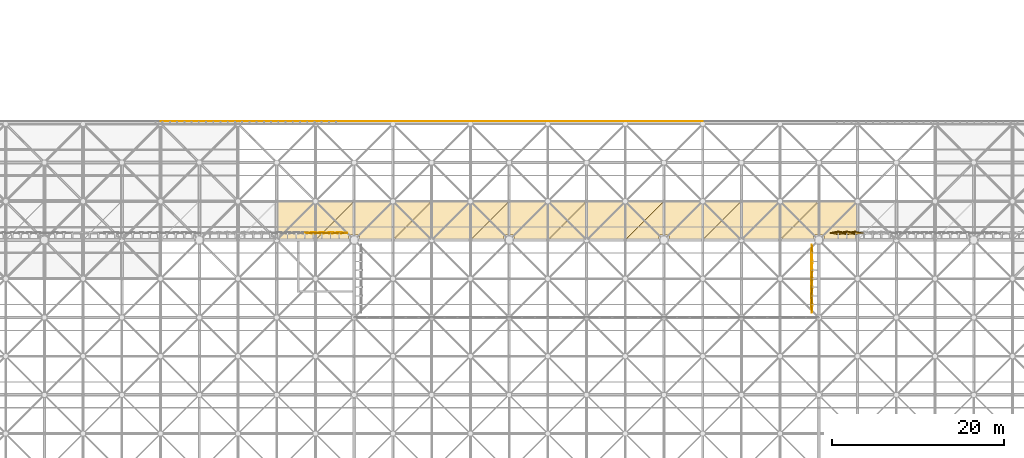
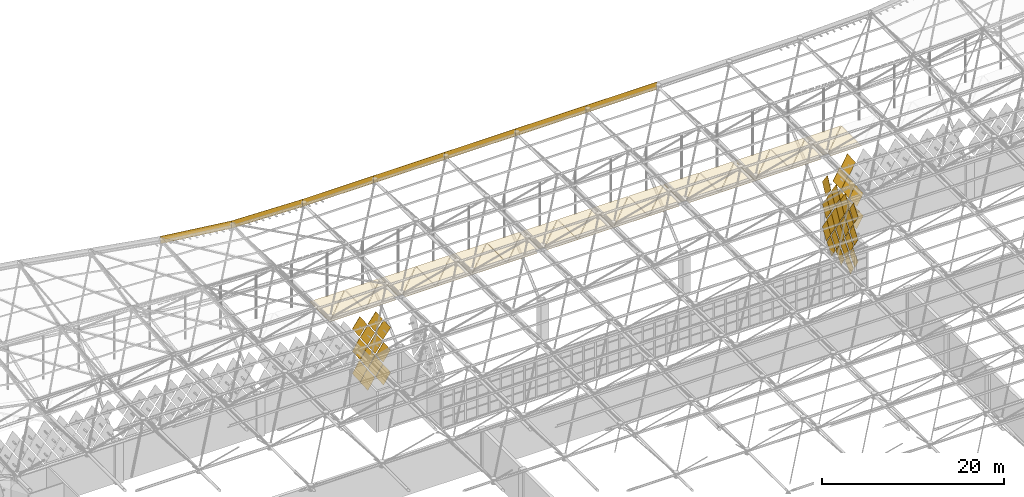
# One storey, part 425 of 437: 78 coverings.
"""IFC4 building model written with IfcOpenShell, lengths in metres."""

from ifc_helpers import new_model, si_unit, direction, frame, origin, place, context, subcontext, project, spatial, polyline, outline, extrude, material, layer, layer_set, material_profile, profile_set, type_object, element, save


model = new_model("IFC4")

# Units and contexts
model_context = context("Model", 3, precision=1e-05, world=origin(), true_north=direction((0.0, 1.0)))
body_context = subcontext(model_context, "Body", "Model", "MODEL_VIEW")
ifc_project = project(units=[si_unit("LENGTHUNIT", "METRE"), si_unit("AREAUNIT", "SQUARE_METRE"), si_unit("VOLUMEUNIT", "CUBIC_METRE"), si_unit("PLANEANGLEUNIT", "RADIAN"), si_unit("MASSUNIT", "GRAM", prefix="KILO")], contexts=[model_context])

# Site, building, storey
site_placement = place(None, origin())
site = spatial("IfcSite", under=ifc_project, at=site_placement, CompositionType="ELEMENT")
building_placement = place(site_placement, origin())
building = spatial("IfcBuilding", under=site, at=building_placement, Name="Opaline Strait Convention Centre", CompositionType="ELEMENT")
storey_placement = place(building_placement, frame((0.0, 0.0, 11.5)))
storey = spatial("IfcBuildingStorey", under=building, at=storey_placement, Name="L02", CompositionType="ELEMENT", Elevation=11.5)

# Coverings
ifc_material_1 = material(Name="White ceramic-faced aluminium tile", Category="aluminium")
ifc_material_profile_1 = material_profile(ifc_material_1, outline(polyline([(0.927978515625, 0.0), (0.0, 1.39208984375), (-0.927978515625, 0.0), (0.0, -1.39208984375), (0.927978515625, 0.0)])), Name="Diamond tile 1856x2784")
ifc_profile_set_1 = profile_set([ifc_material_profile_1], Name="White ceramic-faced aluminium tile")
covering_type_1 = type_object("IfcCoveringType", Name="Diamond wall tile 1856x2784x30 pivot 2 deg", PredefinedType="CLADDING", material=ifc_profile_set_1)
for number, where, z_axis, x_axis, name in (
    (1, (206.199951171875, 151.5, 3.39208984375), (-0.999471633277, 0.0, 0.032503142546), (0.0, -1.0, 0.0), "Wall tile XT04 RE"),
    (2, (206.199951171875, 145.5, 9.39208984375), (-0.999174794796, 0.0, -0.040616861577), (0.0, -1.0, 0.0), "Wall tile XT04 RE"),
):
    element("IfcCovering", number, at=place(storey_placement, frame(where, z_axis=z_axis, x_axis=x_axis)), inside=storey, type_object=covering_type_1, Name=name, PredefinedType="CLADDING", context=body_context, shape_type="SweptSolid", body=[
        extrude(outline(polyline([(0.927978515625, 0.0), (0.0, 1.39208984375), (-0.927978515625, 0.0), (0.0, -1.39208984375), (0.927978515625, 0.0)])), origin(), (0.0, 0.0, 1.0), 0.030029296875),
    ])
ifc_material_profile_2 = material_profile(ifc_material_1, outline(polyline([(0.927978515625, 0.0), (0.0, 1.39208984375), (-0.927978515625, 0.0), (0.0, -1.39208984375), (0.927978515625, 0.0)])), Name="Diamond tile 1856x2784")
ifc_profile_set_2 = profile_set([ifc_material_profile_2], Name="White ceramic-faced aluminium tile")
covering_type_2 = type_object("IfcCoveringType", Name="Diamond wall tile 1856x2784x30 pivot 2.5 deg", PredefinedType="CLADDING", material=ifc_profile_set_2)
for number, where, z_axis, x_axis, name in (
    (3, (151.25, 153.800048828125, 1.89208984375), (0.0, 0.998812351125, -0.048722553713), (-1.0, 0.0, 0.0), "Wall tile XT05 N"),
    (4, (150.25, 153.800048828125, 3.39208984375), (0.0, 0.998812351125, -0.048722553713), (-1.0, 0.0, 0.0), "Wall tile XT05 N"),
    (5, (151.25, 153.800048828125, 4.89208984375), (0.0, 0.999174794796, 0.040616861577), (-1.0, 0.0, 0.0), "Wall tile XT05 N"),
    (6, (149.25, 153.800048828125, 4.89208984375), (0.0, 0.998812351125, -0.048722553713), (-1.0, 0.0, 0.0), "Wall tile XT05 N"),
    (7, (150.25, 153.800048828125, 6.39208984375), (0.0, 0.999174794796, 0.040616861577), (-1.0, 0.0, 0.0), "Wall tile XT05 N"),
    (8, (148.25, 153.800048828125, 6.39208984375), (0.0, 0.998812351125, -0.048722553713), (-1.0, 0.0, 0.0), "Wall tile XT05 N"),
    (9, (149.25, 153.800048828125, 7.89208984375), (0.0, 0.999174794796, 0.040616861577), (-1.0, 0.0, 0.0), "Wall tile XT05 N"),
    (10, (148.25, 153.800048828125, 9.39208984375), (0.0, 0.999174794796, 0.040616861577), (-1.0, 0.0, 0.0), "Wall tile XT05 N"),
    (11, (206.199951171875, 150.5, 1.89208984375), (-0.998812351125, 0.0, -0.048722553713), (0.0, -1.0, 0.0), "Wall tile XT05 RE"),
    (12, (206.199951171875, 150.5, 4.89208984375), (-0.999174794796, 0.0, 0.040616861577), (0.0, -1.0, 0.0), "Wall tile XT05 RE"),
    (13, (206.199951171875, 146.5, 7.89208984375), (-0.998812351125, 0.0, -0.048722553713), (0.0, -1.0, 0.0), "Wall tile XT05 RE"),
):
    element("IfcCovering", number, at=place(storey_placement, frame(where, z_axis=z_axis, x_axis=x_axis)), inside=storey, type_object=covering_type_2, Name=name, PredefinedType="CLADDING", context=body_context, shape_type="SweptSolid", body=[
        extrude(outline(polyline([(0.927978515625, 0.0), (0.0, 1.39208984375), (-0.927978515625, 0.0), (0.0, -1.39208984375), (0.927978515625, 0.0)])), origin(), (0.0, 0.0, 1.0), 0.030029296875),
    ])
ifc_material_profile_3 = material_profile(ifc_material_1, outline(polyline([(0.927978515625, 0.0), (0.0, 1.39208984375), (-0.927978515625, 0.0), (0.0, -1.39208984375), (0.927978515625, 0.0)])), Name="Diamond tile 1856x2784")
ifc_profile_set_3 = profile_set([ifc_material_profile_3], Name="White ceramic-faced aluminium tile")
covering_type_3 = type_object("IfcCoveringType", Name="Diamond wall tile 1856x2784x30 pivot 3 deg", PredefinedType="CLADDING", material=ifc_profile_set_3)
for number, where, z_axis, x_axis, name in (
    (14, (206.199951171875, 149.5, 3.39208984375), (-0.998384516691, 0.0, -0.056818631031), (0.0, -1.0, 0.0), "Wall tile XT06 RE"),
    (15, (206.199951171875, 148.5, 4.89208984375), (-0.998384516691, 0.0, -0.056818631031), (0.0, -1.0, 0.0), "Wall tile XT06 RE"),
    (16, (206.199951171875, 151.5, 6.39208984375), (-0.998812351125, 0.0, 0.048722553713), (0.0, -1.0, 0.0), "Wall tile XT06 RE"),
    (17, (206.199951171875, 149.5, 6.39208984375), (-0.998812351125, 0.0, 0.048722553713), (0.0, -1.0, 0.0), "Wall tile XT06 RE"),
    (18, (206.199951171875, 147.5, 6.39208984375), (-0.998384516691, 0.0, -0.056818631031), (0.0, -1.0, 0.0), "Wall tile XT06 RE"),
    (19, (206.199951171875, 145.5, 6.39208984375), (-0.998384516691, 0.0, -0.056818631031), (0.0, -1.0, 0.0), "Wall tile XT06 RE"),
    (20, (206.199951171875, 148.5, 7.89208984375), (-0.998812351125, 0.0, 0.048722553713), (0.0, -1.0, 0.0), "Wall tile XT06 RE"),
    (21, (206.199951171875, 147.5, 9.39208984375), (-0.998812351125, 0.0, 0.048722553713), (0.0, -1.0, 0.0), "Wall tile XT06 RE"),
):
    element("IfcCovering", number, at=place(storey_placement, frame(where, z_axis=z_axis, x_axis=x_axis)), inside=storey, type_object=covering_type_3, Name=name, PredefinedType="CLADDING", context=body_context, shape_type="SweptSolid", body=[
        extrude(outline(polyline([(0.927978515625, 0.0), (0.0, 1.39208984375), (-0.927978515625, 0.0), (0.0, -1.39208984375), (0.927978515625, 0.0)])), origin(), (0.0, 0.0, 1.0), 0.030029296875),
    ])
ifc_material_profile_4 = material_profile(ifc_material_1, outline(polyline([(0.927978515625, 0.0), (0.0, 1.39208984375), (-0.927978515625, 0.0), (0.0, -1.39208984375), (0.927978515625, 0.0)])), Name="Diamond tile 1856x2784")
ifc_profile_set_4 = profile_set([ifc_material_profile_4], Name="White ceramic-faced aluminium tile")
covering_type_4 = type_object("IfcCoveringType", Name="Diamond wall tile 1856x2784x30 pivot 3.5 deg", PredefinedType="CLADDING", material=ifc_profile_set_4)
for number, where, z_axis, x_axis, name in (
    (22, (149.25, 153.800048828125, 1.89208984375), (0.0, 0.99785694905, -0.065433242561), (-1.0, 0.0, 0.0), "Wall tile XT07 N"),
    (23, (148.25, 153.800048828125, 3.39208984375), (0.0, 0.99785694905, -0.065433242561), (-1.0, 0.0, 0.0), "Wall tile XT07 N"),
    (24, (206.199951171875, 146.5, 4.89208984375), (-0.99785694905, 0.0, -0.065433242561), (0.0, -1.0, 0.0), "Wall tile XT07 RE"),
    (25, (206.199951171875, 150.5, 7.89208984375), (-0.99835799028, 0.0, 0.057282835508), (0.0, -1.0, 0.0), "Wall tile XT07 RE"),
):
    element("IfcCovering", number, at=place(storey_placement, frame(where, z_axis=z_axis, x_axis=x_axis)), inside=storey, type_object=covering_type_4, Name=name, PredefinedType="CLADDING", context=body_context, shape_type="SweptSolid", body=[
        extrude(outline(polyline([(0.927978515625, 0.0), (0.0, 1.39208984375), (-0.927978515625, 0.0), (0.0, -1.39208984375), (0.927978515625, 0.0)])), origin(), (0.0, 0.0, 1.0), 0.02978515625),
    ])
ifc_material_profile_5 = material_profile(ifc_material_1, outline(polyline([(0.927978515625, 0.0), (0.0, 1.39208984375), (-0.927978515625, 0.0), (0.0, -1.39208984375), (0.927978515625, 0.0)])), Name="Diamond tile 1856x2784")
ifc_profile_set_5 = profile_set([ifc_material_profile_5], Name="White ceramic-faced aluminium tile")
covering_type_5 = type_object("IfcCoveringType", Name="Diamond wall tile 1856x2784x30 pivot 4 deg", PredefinedType="CLADDING", material=ifc_profile_set_5)
for number, where, z_axis, x_axis, name in (
    (26, (209.25, 153.800048828125, 1.89208984375), (0.0, 0.997290013252, -0.073570574748), (-1.0, 0.0, 0.0), "Wall tile XT08 N"),
    (27, (206.199951171875, 149.5, 9.39208984375), (-0.99785694905, 0.0, 0.065433242561), (0.0, -1.0, 0.0), "Wall tile XT08 RE"),
):
    element("IfcCovering", number, at=place(storey_placement, frame(where, z_axis=z_axis, x_axis=x_axis)), inside=storey, type_object=covering_type_5, Name=name, PredefinedType="CLADDING", context=body_context, shape_type="SweptSolid", body=[
        extrude(outline(polyline([(0.927978515625, 0.0), (0.0, 1.39208984375), (-0.927978515625, 0.0), (0.0, -1.39208984375), (0.927978515625, 0.0)])), origin(), (0.0, 0.0, 1.0), 0.02978515625),
    ])
ifc_material_profile_6 = material_profile(ifc_material_1, outline(polyline([(0.927978515625, 0.0), (0.0, 1.39208984375), (-0.927978515625, 0.0), (0.0, -1.39208984375), (0.927978515625, 0.0)])), Name="Diamond tile 1856x2784")
ifc_profile_set_6 = profile_set([ifc_material_profile_6], Name="White ceramic-faced aluminium tile")
covering_type_6 = type_object("IfcCoveringType", Name="Diamond wall tile 1856x2784x30 pivot 4.5 deg", PredefinedType="CLADDING", material=ifc_profile_set_6)
for number, where, z_axis, x_axis, name in (
    (28, (151.25, 153.800048828125, 7.89208984375), (0.0, 0.997290013252, 0.073570574748), (-1.0, 0.0, 0.0), "Wall tile XT09 N"),
    (29, (150.25, 153.800048828125, 9.39208984375), (0.0, 0.997290013252, 0.073570574748), (-1.0, 0.0, 0.0), "Wall tile XT09 N"),
    (30, (206.199951171875, 147.5, 3.39208984375), (-0.996657521232, 0.0, -0.081693239445), (0.0, -1.0, 0.0), "Wall tile XT09 RE"),
    (31, (206.199951171875, 151.5, 9.39208984375), (-0.997290013252, 0.0, 0.073570574748), (0.0, -1.0, 0.0), "Wall tile XT09 RE"),
):
    element("IfcCovering", number, at=place(storey_placement, frame(where, z_axis=z_axis, x_axis=x_axis)), inside=storey, type_object=covering_type_6, Name=name, PredefinedType="CLADDING", context=body_context, shape_type="SweptSolid", body=[
        extrude(outline(polyline([(0.927978515625, 0.0), (0.0, 1.39208984375), (-0.927978515625, 0.0), (0.0, -1.39208984375), (0.927978515625, 0.0)])), origin(), (0.0, 0.0, 1.0), 0.02978515625),
    ])
ifc_material_profile_7 = material_profile(ifc_material_1, outline(polyline([(0.927978515625, 0.0), (0.0, 1.39208984375), (-0.927978515625, 0.0), (0.0, -1.39208984375), (0.927978515625, 0.0)])), Name="Diamond tile 1856x2784")
ifc_profile_set_7 = profile_set([ifc_material_profile_7], Name="White ceramic-faced aluminium tile")
covering_type_7 = type_object("IfcCoveringType", Name="Diamond wall tile 1856x2784x30 pivot 5 deg", PredefinedType="CLADDING", material=ifc_profile_set_7)
for number, where, z_axis, x_axis, name in (
    (32, (206.199951171875, 148.5, 1.89208984375), (-0.995959849254, 0.0, -0.089799658539), (0.0, -1.0, 0.0), "Wall tile XT10 RE"),
    (33, (206.199951171875, 145.5, 3.39208984375), (-0.995959849254, 0.0, -0.089799658539), (0.0, -1.0, 0.0), "Wall tile XT10 RE"),
):
    element("IfcCovering", number, at=place(storey_placement, frame(where, z_axis=z_axis, x_axis=x_axis)), inside=storey, type_object=covering_type_7, Name=name, PredefinedType="CLADDING", context=body_context, shape_type="SweptSolid", body=[
        extrude(outline(polyline([(0.927978515625, 0.0), (0.0, 1.39208984375), (-0.927978515625, 0.0), (0.0, -1.39208984375), (0.927978515625, 0.0)])), origin(), (0.0, 0.0, 1.0), 0.02978515625),
    ])
ifc_material_profile_8 = material_profile(ifc_material_1, outline(polyline([(0.927978515625, 0.0), (0.0, 1.39208984375), (-0.927978515625, 0.0), (0.0, -1.39208984375), (0.927978515625, 0.0)])), Name="Diamond tile 1856x2784")
ifc_profile_set_8 = profile_set([ifc_material_profile_8], Name="White ceramic-faced aluminium tile")
covering_type_8 = type_object("IfcCoveringType", Name="Diamond wall tile 1856x2784x30 pivot 5.5 deg", PredefinedType="CLADDING", material=ifc_profile_set_8)
covering_1_placement = place(storey_placement, frame((206.199951171875, 146.5, 1.89208984375), z_axis=(-0.995197410875, 0.0, -0.097888269922), x_axis=(0.0, -1.0, 0.0)))
element("IfcCovering", 34, at=covering_1_placement, inside=storey, type_object=covering_type_8, Name="Wall tile XT11 RE", PredefinedType="CLADDING", context=body_context, shape_type="SweptSolid", body=[
    extrude(outline(polyline([(0.927978515625, 0.0), (0.0, 1.39208984375), (-0.927978515625, 0.0), (0.0, -1.39208984375), (0.927978515625, 0.0)])), origin(), (0.0, 0.0, 1.0), 0.030029296875),
])
ifc_material_profile_9 = material_profile(ifc_material_1, outline(polyline([(0.927978515625, 0.0), (0.0, 1.39208984375), (-0.927978515625, 0.0), (0.0, -1.39208984375), (0.927978515625, 0.0)])), Name="Diamond tile 1856x2784")
ifc_profile_set_9 = profile_set([ifc_material_profile_9], Name="White ceramic-faced aluminium tile")
covering_type_9 = type_object("IfcCoveringType", Name="Diamond wall tile 1856x2784x30 pivot 6 deg", PredefinedType="CLADDING", material=ifc_profile_set_9)
for number, where, z_axis, x_axis, name in (
    (35, (211.25, 153.800048828125, 1.89208984375), (0.0, 0.994370656274, -0.105957528947), (-1.0, 0.0, 0.0), "Wall tile XT12 N"),
    (36, (210.25, 153.800048828125, 3.39208984375), (0.0, 0.994370656274, -0.105957528947), (-1.0, 0.0, 0.0), "Wall tile XT12 N"),
    (37, (209.25, 153.800048828125, 4.89208984375), (0.0, 0.994370656274, -0.105957528947), (-1.0, 0.0, 0.0), "Wall tile XT12 N"),
):
    element("IfcCovering", number, at=place(storey_placement, frame(where, z_axis=z_axis, x_axis=x_axis)), inside=storey, type_object=covering_type_9, Name=name, PredefinedType="CLADDING", context=body_context, shape_type="SweptSolid", body=[
        extrude(outline(polyline([(0.927978515625, 0.0), (0.0, 1.39208984375), (-0.927978515625, 0.0), (0.0, -1.39208984375), (0.927978515625, 0.0)])), origin(), (0.0, 0.0, 1.0), 0.030029296875),
    ])
ifc_material_profile_10 = material_profile(ifc_material_1, outline(polyline([(0.927978515625, 0.0), (0.0, 1.39208984375), (-0.927978515625, 0.0), (0.0, -1.39208984375), (0.927978515625, 0.0)])), Name="Diamond tile 1856x2784")
ifc_profile_set_10 = profile_set([ifc_material_profile_10], Name="White ceramic-faced aluminium tile")
covering_type_10 = type_object("IfcCoveringType", Name="Diamond wall tile 1856x2784x30 pivot 7.5 deg", PredefinedType="CLADDING", material=ifc_profile_set_10)
for number, where, z_axis, x_axis, name in (
    (38, (211.25, 153.800048828125, 4.89208984375), (0.0, 0.991509530601, -0.1300340368), (-1.0, 0.0, 0.0), "Wall tile XT15 N"),
    (39, (210.25, 153.800048828125, 6.39208984375), (0.0, 0.991509530601, -0.1300340368), (-1.0, 0.0, 0.0), "Wall tile XT15 N"),
    (40, (209.25, 153.800048828125, 7.89208984375), (0.0, 0.991509530601, -0.1300340368), (-1.0, 0.0, 0.0), "Wall tile XT15 N"),
    (41, (210.25, 153.800048828125, 9.39208984375), (0.0, 0.991509530601, -0.1300340368), (-1.0, 0.0, 0.0), "Wall tile XT15 N"),
):
    element("IfcCovering", number, at=place(storey_placement, frame(where, z_axis=z_axis, x_axis=x_axis)), inside=storey, type_object=covering_type_10, Name=name, PredefinedType="CLADDING", context=body_context, shape_type="SweptSolid", body=[
        extrude(outline(polyline([(0.927978515625, 0.0), (0.0, 1.39208984375), (-0.927978515625, 0.0), (0.0, -1.39208984375), (0.927978515625, 0.0)])), origin(), (0.0, 0.0, 1.0), 0.030029296875),
    ])
ifc_material_2 = material(Name="White aluminium fascia plate", Category="aluminium")
ifc_layer_1 = layer(ifc_material_2, 0.02001953125)
ifc_layer_set_1 = layer_set([ifc_layer_1], Name="White aluminium fascia plate")
covering_type_11 = type_object("IfcCoveringType", Name="Edge fascia plate 20 aluminium", PredefinedType="CLADDING", material=ifc_layer_set_1)
for number, where, z_axis, x_axis, name in (
    (42, (189.0, 166.800048828125, 18.0), (0.0, 1.0, 0.0), (-1.0, 0.0, 0.0), "Edge fascia plate N"),
    (43, (180.0, 166.800048828125, 18.0), (0.0, 1.0, 0.0), (-1.0, 0.0, 0.0), "Edge fascia plate N"),
    (44, (171.0, 166.800048828125, 18.0), (0.0, 1.0, 0.0), (-1.0, 0.0, 0.0), "Edge fascia plate N"),
    (45, (162.0, 166.800048828125, 18.0), (0.0, 1.0, 0.0), (-1.0, 0.0, 0.0), "Edge fascia plate N"),
    (46, (153.0, 166.800048828125, 18.0), (0.0, 1.0, 0.0), (-1.0, 0.0, 0.0), "Edge fascia plate N"),
):
    element("IfcCovering", number, at=place(storey_placement, frame(where, z_axis=z_axis, x_axis=x_axis)), inside=storey, type_object=covering_type_11, Name=name, PredefinedType="CLADDING", context=body_context, shape_type="SweptSolid", body=[
        extrude(outline(polyline([(-4.5, 0.5), (4.5, 0.5), (4.5, -0.5), (-4.5, -0.5), (-4.5, 0.5)])), origin(), (0.0, 0.0, 1.0), 0.02001953125),
    ])
covering_2_placement = place(storey_placement, frame((144.0, 166.800048828125, 18.12646484375), z_axis=(0.0, 1.0, 0.0), x_axis=(-1.0, 0.0, 0.0)))
element("IfcCovering", 47, at=covering_2_placement, inside=storey, type_object=covering_type_11, Name="Edge fascia plate N", PredefinedType="CLADDING", context=body_context, shape_type="SweptSolid", body=[
    extrude(outline(polyline([(-4.5, 0.373779296875), (4.5, 0.62646484375), (4.5, -0.37353515625), (-4.5, -0.626220703125), (-4.5, 0.373779296875)])), origin(), (0.0, 0.0, 1.0), 0.02001953125),
])
covering_3_placement = place(storey_placement, frame((135.0, 166.800048828125, 18.79638671875), z_axis=(0.0, 1.0, 0.0), x_axis=(-1.0, 0.0, 0.0)))
element("IfcCovering", 48, at=covering_3_placement, inside=storey, type_object=covering_type_11, Name="Edge fascia plate N", PredefinedType="CLADDING", context=body_context, shape_type="SweptSolid", body=[
    extrude(outline(polyline([(-4.5, -0.043701171875), (4.5, 1.043701171875), (4.5, 0.043701171875), (-4.5, -1.043701171875), (-4.5, -0.043701171875)])), origin(), (0.0, 0.0, 1.0), 0.02001953125),
])
ifc_material_3 = material(Name="White aluminium soffit panel", Category="aluminium")
ifc_layer_2 = layer(ifc_material_3, 0.011962890625)
ifc_layer_set_2 = layer_set([ifc_layer_2], Name="White aluminium soffit panel")
covering_type_12 = type_object("IfcCoveringType", Name="Soffit lining panel 12 aluminium", PredefinedType="CEILING", material=ifc_layer_set_2)
covering_4_placement = place(storey_placement, frame((144.04833984375, 153.02001953125, 11.989990234375), z_axis=(0.0, -0.000495813073, 0.999999877085), x_axis=(0.707106737729, 0.707106737729, 0.000350592807)))
element("IfcCovering", 49, at=covering_4_placement, inside=storey, type_object=covering_type_12, Name="Soffit lining panel", PredefinedType="CEILING", context=body_context, shape_type="SweptSolid", body=[
    extrude(outline(polyline([(0.0, 0.0), (6.267286660611354, -3.2671288973371883e-16), (3.133642945132915, -3.1336433303056532), (0.0, 0.0)])), origin(), (0.0, 0.0, -1.0), 0.011962890625),
])
covering_5_placement = place(storey_placement, frame((144.02001953125, 153.04833984375, 11.989990234375), z_axis=(0.000495812829, -0.000991625658, 0.999999385424), x_axis=(0.0, 0.999999508339, 0.00099162578)))
element("IfcCovering", 50, at=covering_5_placement, inside=storey, type_object=covering_type_12, Name="Soffit lining panel", PredefinedType="CEILING", context=body_context, shape_type="SweptSolid", body=[
    extrude(outline(polyline([(0.0, 0.0), (4.431642803865774, -8.470329472543003e-22), (4.431640625000536, -4.431641169716008), (0.0, 0.0)])), origin(), (0.0, 0.0, -1.0), 0.011962890625),
])
covering_6_placement = place(storey_placement, frame((152.39990234375, 153.60009765625, 11.989990234375), z_axis=(0.0, 0.0, 1.0), x_axis=(0.0, -1.0, 0.0)))
element("IfcCovering", 51, at=covering_6_placement, inside=storey, type_object=covering_type_12, Name="Soffit lining panel", PredefinedType="CEILING", context=body_context, shape_type="SweptSolid", body=[
    extrude(outline(polyline([(0.0, 0.0), (0.580078125, 0.0), (0.580078125, -3.8515625), (-3.8515625, 0.580078125), (0.0, 0.580078125), (0.0, 0.0)])), origin(), (0.0, 0.0, -1.0), 0.011962890625),
])
covering_7_placement = place(storey_placement, frame((148.52001953125, 153.04833984375, 11.989990234375), z_axis=(0.000495813012, -0.000495813012, 0.999999754169), x_axis=(0.0, 0.999999877085, 0.000495813073)))
element("IfcCovering", 52, at=covering_7_placement, inside=storey, type_object=covering_type_12, Name="Soffit lining panel", PredefinedType="CEILING", context=body_context, shape_type="SweptSolid", body=[
    extrude(outline(polyline([(0.0, 0.0), (4.431641169716544, 0.0), (4.431640080283523, -4.43164116971641), (0.0, 0.0)])), origin(), (0.0, 0.0, -1.0), 0.011962890625),
])
covering_8_placement = place(storey_placement, frame((157.47998046875, 153.02001953125, 11.989990234375), z_axis=(0.0, 0.0, 1.0), x_axis=(-1.0, 0.0, 0.0)))
element("IfcCovering", 53, at=covering_8_placement, inside=storey, type_object=covering_type_12, Name="Soffit lining panel", PredefinedType="CEILING", context=body_context, shape_type="SweptSolid", body=[
    extrude(outline(polyline([(0.0, 0.0), (3.8798828125, 0.0), (3.8798828125, -0.5517578125), (0.0, -4.431640625), (0.0, 0.0)])), origin(), (0.0, 0.0, -1.0), 0.011962890625),
])
covering_9_placement = place(storey_placement, frame((157.45166015625, 157.47998046875, 11.989990234375), z_axis=(0.0, 0.0, 1.0), x_axis=(-0.707106781187, -0.707106781187, 0.0)))
element("IfcCovering", 54, at=covering_9_placement, inside=storey, type_object=covering_type_12, Name="Soffit lining panel", PredefinedType="CEILING", context=body_context, shape_type="SweptSolid", body=[
    extrude(outline(polyline([(0.0, 0.0), (5.486982893855768, 0.0), (5.877134584647174, -0.39015169079140577), (3.13364313771929, -3.13364313771929), (0.0, 0.0)])), origin(), (0.0, 0.0, -1.0), 0.011962890625),
])
covering_10_placement = place(storey_placement, frame((157.54833984375, 153.02001953125, 11.989990234375), z_axis=(0.0, 0.0, 1.0), x_axis=(0.707106781187, 0.707106781187, 0.0)))
element("IfcCovering", 55, at=covering_10_placement, inside=storey, type_object=covering_type_12, Name="Soffit lining panel", PredefinedType="CEILING", context=body_context, shape_type="SweptSolid", body=[
    extrude(outline(polyline([(0.0, 0.0), (6.26728627543858, 0.0), (3.13364313771929, -3.13364313771929), (0.0, 0.0)])), origin(), (0.0, 0.0, -1.0), 0.011962890625),
])
covering_11_placement = place(storey_placement, frame((157.52001953125, 153.04833984375, 11.989990234375), z_axis=(0.0, 0.0, 1.0), x_axis=(0.0, 1.0, 0.0)))
element("IfcCovering", 56, at=covering_11_placement, inside=storey, type_object=covering_type_12, Name="Soffit lining panel", PredefinedType="CEILING", context=body_context, shape_type="SweptSolid", body=[
    extrude(outline(polyline([(0.0, 0.0), (4.431640625, 0.0), (4.431640625, -4.431640625), (0.0, 0.0)])), origin(), (0.0, 0.0, -1.0), 0.011962890625),
])
covering_12_placement = place(storey_placement, frame((162.04833984375, 153.02001953125, 11.989990234375), z_axis=(0.0, 0.0, 1.0), x_axis=(0.707106781187, 0.707106781187, 0.0)))
element("IfcCovering", 57, at=covering_12_placement, inside=storey, type_object=covering_type_12, Name="Soffit lining panel", PredefinedType="CEILING", context=body_context, shape_type="SweptSolid", body=[
    extrude(outline(polyline([(0.0, 0.0), (6.26728627543858, 0.0), (3.13364313771929, -3.13364313771929), (0.0, 0.0)])), origin(), (0.0, 0.0, -1.0), 0.011962890625),
])
covering_13_placement = place(storey_placement, frame((162.02001953125, 153.04833984375, 11.989990234375), z_axis=(0.0, 0.0, 1.0), x_axis=(0.0, 1.0, 0.0)))
element("IfcCovering", 58, at=covering_13_placement, inside=storey, type_object=covering_type_12, Name="Soffit lining panel", PredefinedType="CEILING", context=body_context, shape_type="SweptSolid", body=[
    extrude(outline(polyline([(0.0, 0.0), (4.431640625, 0.0), (4.431640625, -4.431640625), (0.0, 0.0)])), origin(), (0.0, 0.0, -1.0), 0.011962890625),
])
covering_14_placement = place(storey_placement, frame((166.54833984375, 153.02001953125, 11.989990234375), z_axis=(0.0, 0.0, 1.0), x_axis=(0.707106781187, 0.707106781187, 0.0)))
element("IfcCovering", 59, at=covering_14_placement, inside=storey, type_object=covering_type_12, Name="Soffit lining panel", PredefinedType="CEILING", context=body_context, shape_type="SweptSolid", body=[
    extrude(outline(polyline([(0.0, 0.0), (6.26728627543858, 0.0), (3.5438203135247677, -2.723465961913812), (3.13364313771929, -2.3132887861083344), (2.723465961913812, -2.723465961913812), (0.0, 0.0)])), origin(), (0.0, 0.0, -1.0), 0.011962890625),
])
covering_15_placement = place(storey_placement, frame((166.52001953125, 153.04833984375, 11.989990234375), z_axis=(0.0, 0.0, 1.0), x_axis=(0.0, 1.0, 0.0)))
element("IfcCovering", 60, at=covering_15_placement, inside=storey, type_object=covering_type_12, Name="Soffit lining panel", PredefinedType="CEILING", context=body_context, shape_type="SweptSolid", body=[
    extrude(outline(polyline([(0.0, 0.0), (4.431640625, 0.0), (4.431640625, -4.431640625), (0.0, 0.0)])), origin(), (0.0, 0.0, -1.0), 0.011962890625),
])
covering_16_placement = place(storey_placement, frame((175.47998046875, 153.02001953125, 11.989990234375), z_axis=(0.0, 0.0, 1.0), x_axis=(-1.0, 0.0, 0.0)))
element("IfcCovering", 61, at=covering_16_placement, inside=storey, type_object=covering_type_12, Name="Soffit lining panel", PredefinedType="CEILING", context=body_context, shape_type="SweptSolid", body=[
    extrude(outline(polyline([(0.0, 0.0), (3.8798828125, 0.0), (3.8798828125, -0.5517578125), (0.0, -4.431640625), (0.0, 0.0)])), origin(), (0.0, 0.0, -1.0), 0.011962890625),
])
covering_17_placement = place(storey_placement, frame((175.45166015625, 157.47998046875, 11.989990234375), z_axis=(0.0, 0.0, 1.0), x_axis=(-0.707106781187, -0.707106781187, 0.0)))
element("IfcCovering", 62, at=covering_17_placement, inside=storey, type_object=covering_type_12, Name="Soffit lining panel", PredefinedType="CEILING", context=body_context, shape_type="SweptSolid", body=[
    extrude(outline(polyline([(0.0, 0.0), (5.486982893855768, 0.0), (5.877134584647174, -0.39015169079140577), (3.13364313771929, -3.13364313771929), (0.0, 0.0)])), origin(), (0.0, 0.0, -1.0), 0.011962890625),
])
covering_18_placement = place(storey_placement, frame((175.54833984375, 153.02001953125, 11.989990234375), z_axis=(0.0, 0.0, 1.0), x_axis=(0.707106781187, 0.707106781187, 0.0)))
element("IfcCovering", 63, at=covering_18_placement, inside=storey, type_object=covering_type_12, Name="Soffit lining panel", PredefinedType="CEILING", context=body_context, shape_type="SweptSolid", body=[
    extrude(outline(polyline([(0.0, 0.0), (6.26728627543858, 0.0), (3.13364313771929, -3.13364313771929), (0.0, 0.0)])), origin(), (0.0, 0.0, -1.0), 0.011962890625),
])
covering_19_placement = place(storey_placement, frame((175.52001953125, 153.04833984375, 11.989990234375), z_axis=(0.0, 0.0, 1.0), x_axis=(0.0, 1.0, 0.0)))
element("IfcCovering", 64, at=covering_19_placement, inside=storey, type_object=covering_type_12, Name="Soffit lining panel", PredefinedType="CEILING", context=body_context, shape_type="SweptSolid", body=[
    extrude(outline(polyline([(0.0, 0.0), (4.431640625, 0.0), (4.431640625, -4.431640625), (0.0, 0.0)])), origin(), (0.0, 0.0, -1.0), 0.011962890625),
])
covering_20_placement = place(storey_placement, frame((180.04833984375, 153.02001953125, 11.989990234375), z_axis=(0.0, 0.0, 1.0), x_axis=(0.707106781187, 0.707106781187, 0.0)))
element("IfcCovering", 65, at=covering_20_placement, inside=storey, type_object=covering_type_12, Name="Soffit lining panel", PredefinedType="CEILING", context=body_context, shape_type="SweptSolid", body=[
    extrude(outline(polyline([(0.0, 0.0), (6.26728627543858, 0.0), (3.13364313771929, -3.13364313771929), (0.0, 0.0)])), origin(), (0.0, 0.0, -1.0), 0.011962890625),
])
covering_21_placement = place(storey_placement, frame((180.02001953125, 153.04833984375, 11.989990234375), z_axis=(0.0, 0.0, 1.0), x_axis=(0.0, 1.0, 0.0)))
element("IfcCovering", 66, at=covering_21_placement, inside=storey, type_object=covering_type_12, Name="Soffit lining panel", PredefinedType="CEILING", context=body_context, shape_type="SweptSolid", body=[
    extrude(outline(polyline([(0.0, 0.0), (4.431640625, 0.0), (4.431640625, -4.431640625), (0.0, 0.0)])), origin(), (0.0, 0.0, -1.0), 0.011962890625),
])
covering_22_placement = place(storey_placement, frame((184.54833984375, 153.02001953125, 11.989990234375), z_axis=(0.0, 0.0, 1.0), x_axis=(0.707106781187, 0.707106781187, 0.0)))
element("IfcCovering", 67, at=covering_22_placement, inside=storey, type_object=covering_type_12, Name="Soffit lining panel", PredefinedType="CEILING", context=body_context, shape_type="SweptSolid", body=[
    extrude(outline(polyline([(0.0, 0.0), (6.26728627543858, 0.0), (3.5438203135247677, -2.723465961913812), (3.13364313771929, -2.3132887861083344), (2.723465961913812, -2.723465961913812), (0.0, 0.0)])), origin(), (0.0, 0.0, -1.0), 0.011962890625),
])
covering_23_placement = place(storey_placement, frame((184.52001953125, 153.04833984375, 11.989990234375), z_axis=(0.0, 0.0, 1.0), x_axis=(0.0, 1.0, 0.0)))
element("IfcCovering", 68, at=covering_23_placement, inside=storey, type_object=covering_type_12, Name="Soffit lining panel", PredefinedType="CEILING", context=body_context, shape_type="SweptSolid", body=[
    extrude(outline(polyline([(0.0, 0.0), (4.431640625, 0.0), (4.431640625, -4.431640625), (0.0, 0.0)])), origin(), (0.0, 0.0, -1.0), 0.011962890625),
])
covering_24_placement = place(storey_placement, frame((189.60009765625, 153.02001953125, 11.989990234375), z_axis=(0.0, 0.0, 1.0), x_axis=(0.0, 1.0, 0.0)))
element("IfcCovering", 69, at=covering_24_placement, inside=storey, type_object=covering_type_12, Name="Soffit lining panel", PredefinedType="CEILING", context=body_context, shape_type="SweptSolid", body=[
    extrude(outline(polyline([(0.0, 0.0), (0.5517578125, 0.0), (4.431640625, -3.8798828125), (0.0, -3.8798828125), (0.0, 0.0)])), origin(), (0.0, 0.0, -1.0), 0.011962890625),
])
covering_25_placement = place(storey_placement, frame((189.57177734375, 153.60009765625, 11.989990234375), z_axis=(0.0, 0.0, 1.0), x_axis=(-1.0, 0.0, 0.0)))
element("IfcCovering", 70, at=covering_25_placement, inside=storey, type_object=covering_type_12, Name="Soffit lining panel", PredefinedType="CEILING", context=body_context, shape_type="SweptSolid", body=[
    extrude(outline(polyline([(0.0, 0.0), (0.5517578125, 0.0), (0.5517578125, -3.8798828125), (-3.8798828125, -3.8798828125), (0.0, 0.0)])), origin(), (0.0, 0.0, -1.0), 0.011962890625),
])
covering_26_placement = place(storey_placement, frame((193.54833984375, 153.02001953125, 11.989990234375), z_axis=(0.0, 0.0, 1.0), x_axis=(0.707106781187, 0.707106781187, 0.0)))
element("IfcCovering", 71, at=covering_26_placement, inside=storey, type_object=covering_type_12, Name="Soffit lining panel", PredefinedType="CEILING", context=body_context, shape_type="SweptSolid", body=[
    extrude(outline(polyline([(0.0, 0.0), (6.26728627543858, 0.0), (3.13364313771929, -3.13364313771929), (0.0, 0.0)])), origin(), (0.0, 0.0, -1.0), 0.011962890625),
])
covering_27_placement = place(storey_placement, frame((193.52001953125, 153.04833984375, 11.989990234375), z_axis=(0.0, 0.0, 1.0), x_axis=(0.0, 1.0, 0.0)))
element("IfcCovering", 72, at=covering_27_placement, inside=storey, type_object=covering_type_12, Name="Soffit lining panel", PredefinedType="CEILING", context=body_context, shape_type="SweptSolid", body=[
    extrude(outline(polyline([(0.0, 0.0), (4.431640625, 0.0), (4.431640625, -4.431640625), (0.0, 0.0)])), origin(), (0.0, 0.0, -1.0), 0.011962890625),
])
covering_28_placement = place(storey_placement, frame((198.04833984375, 153.02001953125, 11.989990234375), z_axis=(0.0, 0.0, 1.0), x_axis=(0.707106781187, 0.707106781187, 0.0)))
element("IfcCovering", 73, at=covering_28_placement, inside=storey, type_object=covering_type_12, Name="Soffit lining panel", PredefinedType="CEILING", context=body_context, shape_type="SweptSolid", body=[
    extrude(outline(polyline([(0.0, 0.0), (6.26728627543858, 0.0), (3.13364313771929, -3.13364313771929), (0.0, 0.0)])), origin(), (0.0, 0.0, -1.0), 0.011962890625),
])
covering_29_placement = place(storey_placement, frame((198.02001953125, 153.04833984375, 11.989990234375), z_axis=(0.0, 0.0, 1.0), x_axis=(0.0, 1.0, 0.0)))
element("IfcCovering", 74, at=covering_29_placement, inside=storey, type_object=covering_type_12, Name="Soffit lining panel", PredefinedType="CEILING", context=body_context, shape_type="SweptSolid", body=[
    extrude(outline(polyline([(0.0, 0.0), (4.431640625, 0.0), (4.431640625, -4.431640625), (0.0, 0.0)])), origin(), (0.0, 0.0, -1.0), 0.011962890625),
])
covering_30_placement = place(storey_placement, frame((206.97998046875, 153.60009765625, 11.989990234375), z_axis=(0.0, 0.0, 1.0), x_axis=(-1.0, 0.0, 0.0)))
element("IfcCovering", 75, at=covering_30_placement, inside=storey, type_object=covering_type_12, Name="Soffit lining panel", PredefinedType="CEILING", context=body_context, shape_type="SweptSolid", body=[
    extrude(outline(polyline([(0.0, 0.0), (0.580078125, 0.0), (0.580078125, 0.580078125), (4.431640625, 0.580078125), (0.0, -3.8515625), (0.0, 0.0)])), origin(), (0.0, 0.0, -1.0), 0.011962890625),
])
covering_31_placement = place(storey_placement, frame((202.52001953125, 153.04833984375, 11.989990234375), z_axis=(0.0, 0.0, 1.0), x_axis=(0.0, 1.0, 0.0)))
element("IfcCovering", 76, at=covering_31_placement, inside=storey, type_object=covering_type_12, Name="Soffit lining panel", PredefinedType="CEILING", context=body_context, shape_type="SweptSolid", body=[
    extrude(outline(polyline([(0.0, 0.0), (4.431640625, 0.0), (4.431640625, -4.431640625), (0.0, 0.0)])), origin(), (0.0, 0.0, -1.0), 0.011962890625),
])
covering_32_placement = place(storey_placement, frame((207.60009765625, 153.57177734375, 11.990234375), z_axis=(-6.745019e-06, -0.000489907839, 0.999999879972), x_axis=(0.70710673643, 0.707106738734, 0.000351186624)))
element("IfcCovering", 77, at=covering_32_placement, inside=storey, type_object=covering_type_12, Name="Soffit lining panel", PredefinedType="CEILING", context=body_context, shape_type="SweptSolid", body=[
    extrude(outline(polyline([(0.0, 0.0), (5.4869832414067226, -5.2423927896752716e-18), (2.353339520170269, -3.133643324438362), (-0.3901517531069647, -0.39015170398465426), (0.0, 0.0)])), origin(), (0.0, 0.0, -1.0), 0.011962890625),
])
covering_33_placement = place(storey_placement, frame((207.02001953125, 153.60009765625, 11.989990234375), z_axis=(-0.000489907839, -6.745019e-06, 0.999999879972), x_axis=(-3.304e-09, 0.999999999977, 6.745018e-06)))
element("IfcCovering", 78, at=covering_33_placement, inside=storey, type_object=covering_type_12, Name="Soffit lining panel", PredefinedType="CEILING", context=body_context, shape_type="SweptSolid", body=[
    extrude(outline(polyline([(0.0, 0.0), (3.879882812411742, -1.604681920738857e-24), (3.8798828125882587, -4.431641169639274), (-1.7651633734630715e-10, -0.5517578658927911), (0.0, 0.0)])), origin(), (0.0, 0.0, -1.0), 0.011962890625),
])

save(model, "model.ifc")
